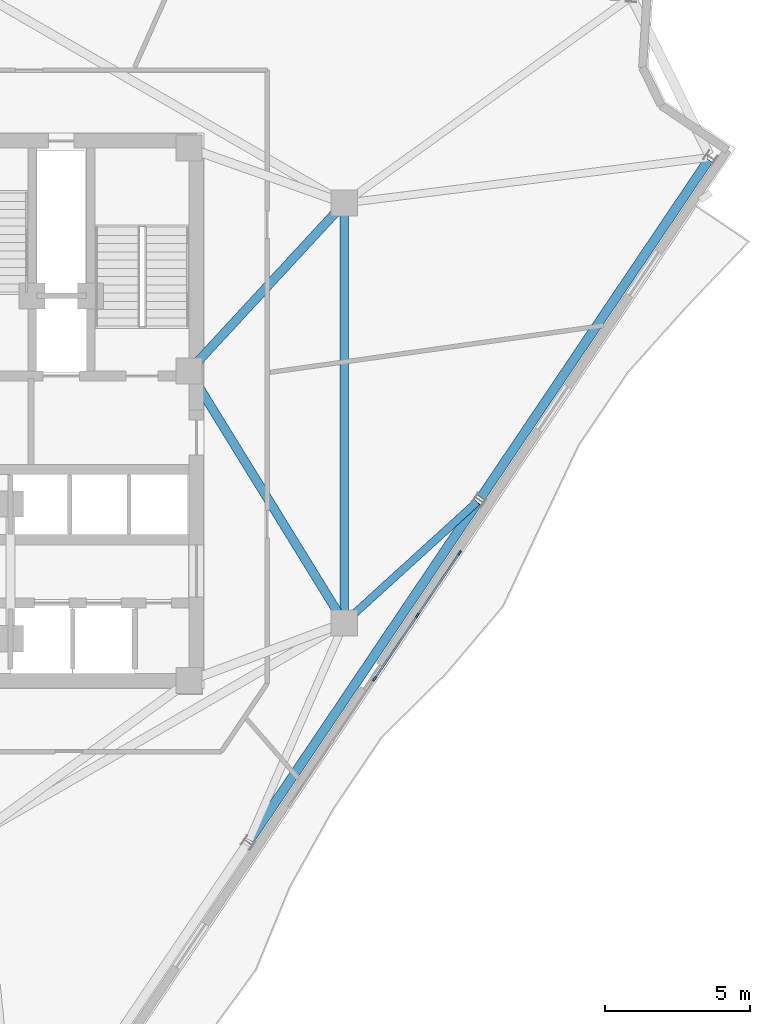
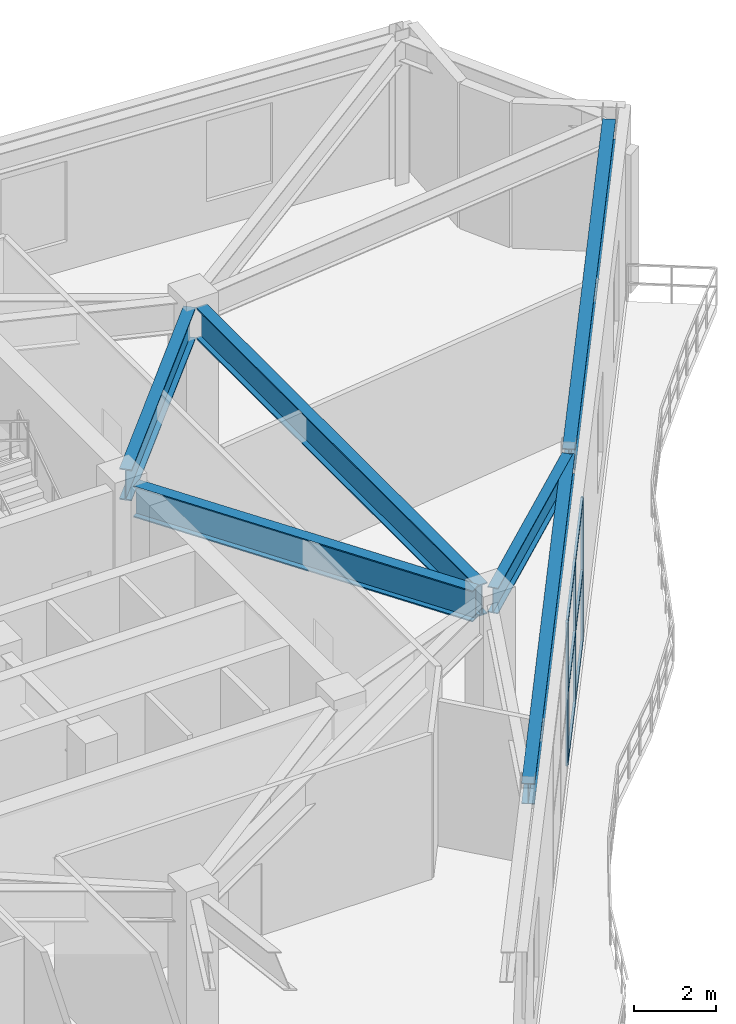
# One storey, part 6 of 15: 9 members, 6 beams, 1 element without a shape of its own.
"""IFC4 building model written with IfcOpenShell, lengths in metres."""

from ifc_helpers import new_model, si_unit, direction, frame, origin, origin_2d, place, context, subcontext, project, spatial, rectangle, i_section, extrude, material, layer, layer_set, material_profile, profile_set, type_object, element, aggregate, save


model = new_model("IFC4")

# Units and contexts
model_context = context("Model", 3, precision=1e-05, world=origin(), true_north=direction((0.0, 1.0)))
body_context = subcontext(model_context, "Body", "Model", "MODEL_VIEW")
ifc_project = project(units=[si_unit("LENGTHUNIT", "METRE"), si_unit("AREAUNIT", "SQUARE_METRE"), si_unit("VOLUMEUNIT", "CUBIC_METRE"), si_unit("PLANEANGLEUNIT", "RADIAN"), si_unit("MASSUNIT", "GRAM", prefix="KILO")], contexts=[model_context])

# Site, building, storey
site_placement = place(None, origin())
site = spatial("IfcSite", under=ifc_project, at=site_placement, CompositionType="ELEMENT")
building_placement = place(site_placement, origin())
building = spatial("IfcBuilding", under=site, at=building_placement, Name="Apsidion Concourse Tower", CompositionType="ELEMENT")
storey_placement = place(building_placement, frame((0.0, 0.0, 318.800048828125)))
storey = spatial("IfcBuildingStorey", under=building, at=storey_placement, Name="L75", CompositionType="ELEMENT", Elevation=318.800048828125)

# Beams
ifc_material_1 = material(Name="Structural steel ASTM A992 Grade 50", Category="steel")
ifc_material_profile_1 = material_profile(ifc_material_1, i_section(OverallWidth=0.31005859375, OverallDepth=0.931884765625, WebThickness=0.02099609375, FlangeThickness=0.034423828125, at=origin_2d()), Name="W36X210")
ifc_profile_set_1 = profile_set([ifc_material_profile_1], Name="Structural steel ASTM A992 Grade 50")
beam_type_1 = type_object("IfcBeamType", Name="BM-G-W36", PredefinedType="USERDEFINED", material=ifc_profile_set_1)
beam_1_placement = place(storey_placement, frame((12.35009765625, -6.909423828125, 3.85400390625), z_axis=(-0.524524009763, 0.851395656074, 0.0), x_axis=(-0.851395656074, -0.524524009763, 0.0)))
element("IfcBeam", 1, at=beam_1_placement, inside=storey, type_object=beam_type_1, Name="L75 Core Coupling Girder IC2-SC3", ObjectType="GIRDER", PredefinedType="USERDEFINED", context=body_context, shape_type="SweptSolid", body=[
    extrude(i_section(OverallWidth=0.31005859375, OverallDepth=0.931884765625, WebThickness=0.02099609375, FlangeThickness=0.034423828125, at=origin_2d()), origin(), (0.0, 0.0, 1.0), 9.41845703125),
])
beam_2_placement = place(storey_placement, frame((12.28857421875, 6.956298828125, 3.85400390625), z_axis=(-0.678712876106, -0.73440372535, 0.0), x_axis=(0.73440372535, -0.678712876106, 0.0)))
element("IfcBeam", 2, at=beam_2_placement, inside=storey, type_object=beam_type_1, Name="L75 Core Coupling Girder IC3-SC3", ObjectType="GIRDER", PredefinedType="USERDEFINED", context=body_context, shape_type="SweptSolid", body=[
    extrude(i_section(OverallWidth=0.31005859375, OverallDepth=0.931884765625, WebThickness=0.02099609375, FlangeThickness=0.034423828125, at=origin_2d()), origin(), (0.0, 0.0, 1.0), 7.097412109375),
])
beam_3_placement = place(storey_placement, frame((12.56005859375, 6.85009765625, 3.85400390625), z_axis=(0.0, -1.0, 0.0), x_axis=(1.0, 0.0, 0.0)))
element("IfcBeam", 3, at=beam_3_placement, inside=storey, type_object=beam_type_1, Name="L75 Core Coupling Girder IC3-IC2", ObjectType="GIRDER", PredefinedType="USERDEFINED", context=body_context, shape_type="SweptSolid", body=[
    extrude(i_section(OverallWidth=0.31005859375, OverallDepth=0.931884765625, WebThickness=0.02099609375, FlangeThickness=0.034423828125, at=origin_2d()), origin(), (0.0, 0.0, 1.0), 13.7001953125),
])
ifc_material_profile_2 = material_profile(ifc_material_1, i_section(OverallWidth=0.324951171875, OverallDepth=0.616943359375, WebThickness=0.013916015625, FlangeThickness=0.021484375, at=origin_2d()), Name="W24X117")
ifc_profile_set_2 = profile_set([ifc_material_profile_2], Name="Structural steel ASTM A992 Grade 50")
beam_type_2 = type_object("IfcBeamType", Name="BM-SP-W24", PredefinedType="SPANDREL", material=ifc_profile_set_2)
beam_4_placement = place(storey_placement, frame((9.294921875, -14.760986328125, 4.011474609375), z_axis=(0.559189897853, 0.829039599862, 0.0), x_axis=(-0.829039599862, 0.559189897853, 0.0)))
element("IfcBeam", 4, at=beam_4_placement, inside=storey, type_object=beam_type_2, Name="L75 Perimeter Spandrel Girder SP-06", PredefinedType="SPANDREL", context=body_context, shape_type="SweptSolid", body=[
    extrude(i_section(OverallWidth=0.324951171875, OverallDepth=0.616943359375, WebThickness=0.013916015625, FlangeThickness=0.021484375, at=origin_2d()), origin(), (0.0, 0.0, 1.0), 14.079345703125),
])
beam_5_placement = place(storey_placement, frame((17.27978515625, -2.9228515625, 4.011474609375), z_axis=(0.559201815781, 0.829031561056, 0.0), x_axis=(-0.829031561056, 0.559201815781, 0.0)))
element("IfcBeam", 5, at=beam_5_placement, inside=storey, type_object=beam_type_2, Name="L75 Perimeter Spandrel Girder SP-07", PredefinedType="SPANDREL", context=body_context, shape_type="SweptSolid", body=[
    extrude(i_section(OverallWidth=0.324951171875, OverallDepth=0.616943359375, WebThickness=0.013916015625, FlangeThickness=0.021484375, at=origin_2d()), origin(), (0.0, 0.0, 1.0), 14.07958984375),
])
ifc_material_profile_3 = material_profile(ifc_material_1, i_section(OverallWidth=0.26806640625, OverallDepth=0.77001953125, WebThickness=0.015625, FlangeThickness=0.025390625, at=origin_2d()), Name="W30X132")
ifc_profile_set_3 = profile_set([ifc_material_profile_3], Name="Structural steel ASTM A992 Grade 50")
beam_type_3 = type_object("IfcBeamType", Name="BM-SP-W30", PredefinedType="SPANDREL", material=ifc_profile_set_3)
beam_6_placement = place(storey_placement, frame((12.72265625, -7.101806640625, 3.93505859375), z_axis=(0.739604100637, 0.673042178709, 0.0), x_axis=(-0.673042178709, 0.739604100637, 0.0)))
element("IfcBeam", 6, at=beam_6_placement, inside=storey, type_object=beam_type_3, Name="L75 Radial Floor Girder RAD-07", PredefinedType="SPANDREL", context=body_context, shape_type="SweptSolid", body=[
    extrude(i_section(OverallWidth=0.26806640625, OverallDepth=0.77001953125, WebThickness=0.015625, FlangeThickness=0.025390625, at=origin_2d()), origin(), (0.0, 0.0, 1.0), 5.986083984375),
])

# Curtain wall, members
ifc_material_2 = material(Name="Insulated laminated low-E glass", Category="glass")
ifc_layer = layer(ifc_material_2, 0.22998046875)
ifc_layer_set = layer_set([ifc_layer], Name="Insulated laminated low-E glass")
curtain_wall_type = type_object("IfcCurtainWallType", Name="CW-SYS-05", PredefinedType="NOTDEFINED", material=ifc_layer_set)
curtain_wall_placement = place(storey_placement, origin())
curtain_wall = element("IfcCurtainWall", 7, at=curtain_wall_placement, inside=storey, type_object=curtain_wall_type, Name="L75 Sky Observatory Curtain Wall 5", PredefinedType="NOTDEFINED")
ifc_material_3 = material(Name="Anodised aluminium EN AW-6063 T6", Category="aluminium")
ifc_material_profile_4 = material_profile(ifc_material_3, rectangle(XDim=0.06494140625, YDim=0.179931640625, at=origin_2d()), Name="ALU MULLION 65x180")
ifc_profile_set_4 = profile_set([ifc_material_profile_4], Name="Anodised aluminium EN AW-6063 T6")
member_type_1 = type_object("IfcMemberType", Name="CWM-65X180", PredefinedType="MULLION", material=ifc_profile_set_4)
member_1_placement = place(storey_placement, frame((16.54150390625, -4.840087890625, 0.0), z_axis=(0.0, 0.0, 1.0), x_axis=(0.829036939888, -0.559193841437, 0.0)))
member_1 = element("IfcMember", 8, at=member_1_placement, type_object=member_type_1, Name="CW-05 mullion 1", PredefinedType="MULLION", context=body_context, shape_type="SweptSolid", body=[
    extrude(rectangle(XDim=0.06494140625, YDim=0.179931640625, at=origin_2d()), origin(), (0.0, 0.0, 1.0), 4.27001953125),
])
member_2_placement = place(storey_placement, frame((15.086181640625, -6.99755859375, 0.0), z_axis=(0.0, 0.0, 1.0), x_axis=(0.829036939888, -0.559193841437, 0.0)))
member_2 = element("IfcMember", 9, at=member_2_placement, type_object=member_type_1, Name="CW-05 mullion 2", PredefinedType="MULLION", context=body_context, shape_type="SweptSolid", body=[
    extrude(rectangle(XDim=0.06494140625, YDim=0.179931640625, at=origin_2d()), origin(), (0.0, 0.0, 1.0), 4.27001953125),
])
member_3_placement = place(storey_placement, frame((13.61279296875, -9.181884765625, 0.0), z_axis=(0.0, 0.0, 1.0), x_axis=(0.829036939888, -0.559193841437, 0.0)))
member_3 = element("IfcMember", 10, at=member_3_placement, type_object=member_type_1, Name="CW-05 mullion 3", PredefinedType="MULLION", context=body_context, shape_type="SweptSolid", body=[
    extrude(rectangle(XDim=0.06494140625, YDim=0.179931640625, at=origin_2d()), origin(), (0.0, 0.0, 1.0), 4.27001953125),
])
ifc_material_profile_5 = material_profile(ifc_material_3, rectangle(XDim=0.06494140625, YDim=0.139892578125, at=origin_2d()), Name="ALU TRANSOM 65x140")
ifc_profile_set_5 = profile_set([ifc_material_profile_5], Name="Anodised aluminium EN AW-6063 T6")
member_type_2 = type_object("IfcMemberType", Name="CWT-65X140", PredefinedType="USERDEFINED", material=ifc_profile_set_5)
member_4_placement = place(storey_placement, frame((16.523193359375, -4.8671875, 0.032470703125), z_axis=(-0.559155511525, -0.829062792514, 0.0), x_axis=(0.829062792514, -0.559155511525, 0.0)))
member_4 = element("IfcMember", 11, at=member_4_placement, type_object=member_type_2, Name="CW-05 transom 1.1", ObjectType="TRANSOM", PredefinedType="USERDEFINED", context=body_context, shape_type="SweptSolid", body=[
    extrude(rectangle(XDim=0.06494140625, YDim=0.139892578125, at=origin_2d()), origin(), (0.0, 0.0, 1.0), 2.537109375),
])
member_5_placement = place(storey_placement, frame((16.523193359375, -4.8671875, 2.135009765625), z_axis=(-0.559155511525, -0.829062792514, 0.0), x_axis=(0.829062792514, -0.559155511525, 0.0)))
member_5 = element("IfcMember", 12, at=member_5_placement, type_object=member_type_2, Name="CW-05 transom 1.2", ObjectType="TRANSOM", PredefinedType="USERDEFINED", context=body_context, shape_type="SweptSolid", body=[
    extrude(rectangle(XDim=0.06494140625, YDim=0.139892578125, at=origin_2d()), origin(), (0.0, 0.0, 1.0), 2.537109375),
])
member_6_placement = place(storey_placement, frame((16.523193359375, -4.8671875, 4.237548828125), z_axis=(-0.559155511525, -0.829062792514, 0.0), x_axis=(0.829062792514, -0.559155511525, 0.0)))
member_6 = element("IfcMember", 13, at=member_6_placement, type_object=member_type_2, Name="CW-05 transom 1.3", ObjectType="TRANSOM", PredefinedType="USERDEFINED", context=body_context, shape_type="SweptSolid", body=[
    extrude(rectangle(XDim=0.06494140625, YDim=0.139892578125, at=origin_2d()), origin(), (0.0, 0.0, 1.0), 2.537109375),
])
member_7_placement = place(storey_placement, frame((15.068115234375, -7.024658203125, 0.032470703125), z_axis=(-0.559273780353, -0.828983014669, 0.0), x_axis=(0.828983014669, -0.559273780353, 0.0)))
member_7 = element("IfcMember", 14, at=member_7_placement, type_object=member_type_2, Name="CW-05 transom 2.1", ObjectType="TRANSOM", PredefinedType="USERDEFINED", context=body_context, shape_type="SweptSolid", body=[
    extrude(rectangle(XDim=0.06494140625, YDim=0.139892578125, at=origin_2d()), origin(), (0.0, 0.0, 1.0), 2.56982421875),
])
member_8_placement = place(storey_placement, frame((15.068115234375, -7.024658203125, 2.135009765625), z_axis=(-0.559273780353, -0.828983014669, 0.0), x_axis=(0.828983014669, -0.559273780353, 0.0)))
member_8 = element("IfcMember", 15, at=member_8_placement, type_object=member_type_2, Name="CW-05 transom 2.2", ObjectType="TRANSOM", PredefinedType="USERDEFINED", context=body_context, shape_type="SweptSolid", body=[
    extrude(rectangle(XDim=0.06494140625, YDim=0.139892578125, at=origin_2d()), origin(), (0.0, 0.0, 1.0), 2.56982421875),
])
member_9_placement = place(storey_placement, frame((15.068115234375, -7.024658203125, 4.237548828125), z_axis=(-0.559273780353, -0.828983014669, 0.0), x_axis=(0.828983014669, -0.559273780353, 0.0)))
member_9 = element("IfcMember", 16, at=member_9_placement, type_object=member_type_2, Name="CW-05 transom 2.3", ObjectType="TRANSOM", PredefinedType="USERDEFINED", context=body_context, shape_type="SweptSolid", body=[
    extrude(rectangle(XDim=0.06494140625, YDim=0.139892578125, at=origin_2d()), origin(), (0.0, 0.0, 1.0), 2.56982421875),
])
aggregate(curtain_wall, [member_1, member_2, member_3, member_4, member_5, member_6, member_7, member_8, member_9])

save(model, "model.ifc")
